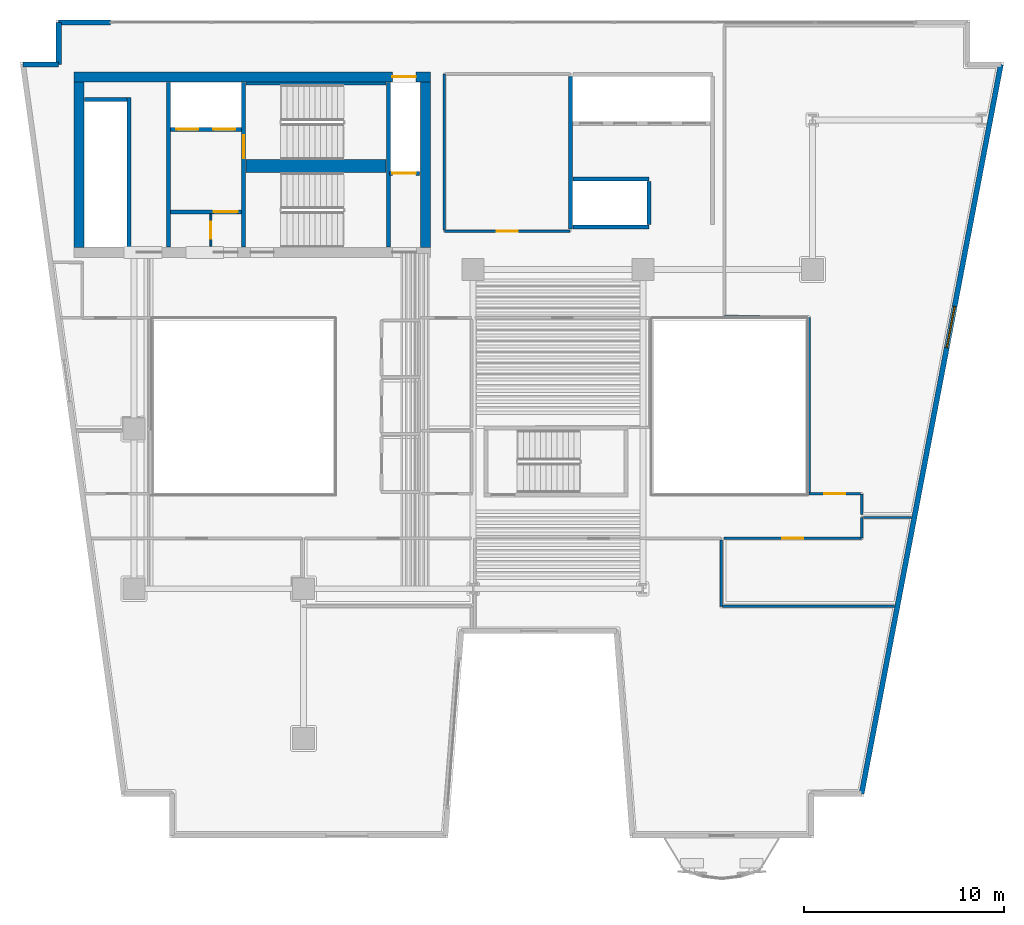
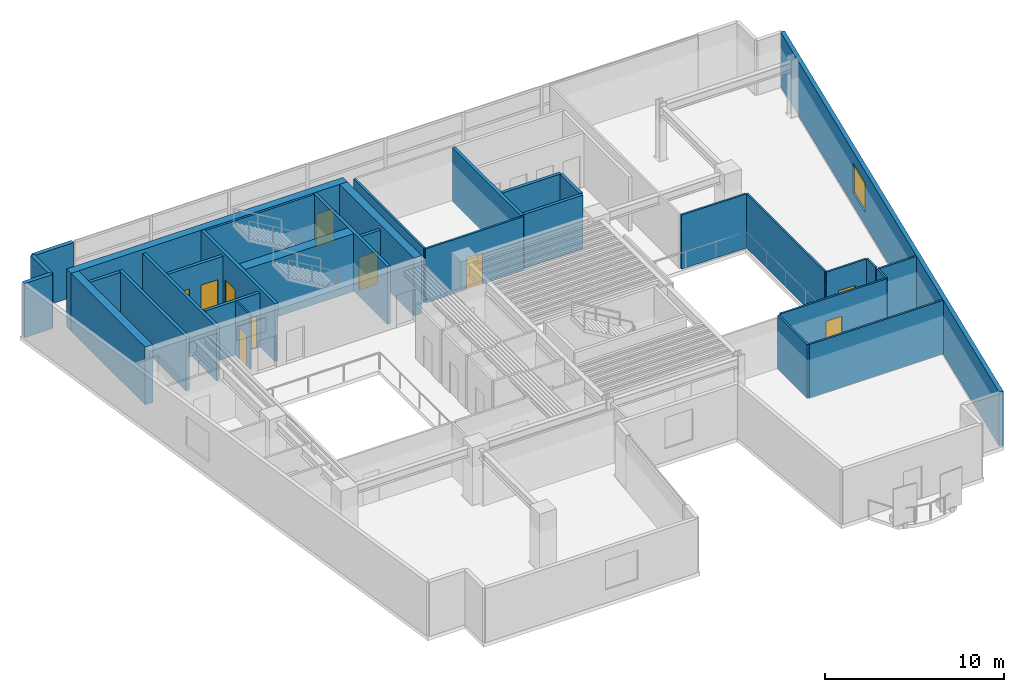
# One storey, part 7 of 12: 33 walls, 10 doors, 1 window, 11 openings.
"""IFC4 building model written with IfcOpenShell, lengths in metres."""

from ifc_helpers import new_model, si_unit, direction, frame, frame_2d, origin, place, context, subcontext, project, spatial, rectangle, extrude, material, layer, layer_set, type_object, element, fill, save


model = new_model("IFC4")

# Units and contexts
model_context = context("Model", 3, precision=1e-05, world=origin(), true_north=direction((0.0, 1.0)))
body_context = subcontext(model_context, "Body", "Model", "MODEL_VIEW")
ifc_project = project(units=[si_unit("LENGTHUNIT", "METRE"), si_unit("AREAUNIT", "SQUARE_METRE"), si_unit("VOLUMEUNIT", "CUBIC_METRE"), si_unit("PLANEANGLEUNIT", "RADIAN"), si_unit("MASSUNIT", "GRAM", prefix="KILO")], contexts=[model_context])

# Site, building, storey
site_placement = place(None, origin())
site = spatial("IfcSite", under=ifc_project, at=site_placement, CompositionType="ELEMENT")
building_placement = place(site_placement, origin())
building = spatial("IfcBuilding", under=site, at=building_placement, Name="Caeloran Harvest Quay", CompositionType="ELEMENT")
storey_placement = place(building_placement, frame((0.0, 0.0, 119.300048828125)))
storey = spatial("IfcBuildingStorey", under=building, at=storey_placement, Name="L27", CompositionType="ELEMENT", Elevation=119.300048828125)

# Walls
ifc_material_1 = material(Name="Precast concrete C50/60", Category="concrete")
ifc_layer_1 = layer(ifc_material_1, 0.260009765625, Name="Precast concrete C50/60")
ifc_layer_set_1 = layer_set([ifc_layer_1], Name="Precast concrete C50/60")
wall_type_1 = type_object("IfcWallType", Name="ENV-WALL-EW-260", PredefinedType="STANDARD", material=ifc_layer_set_1)
wall_1_placement = place(storey_placement, frame((2.939697265625, 41.27001953125, 0.0), z_axis=(0.0, 0.0, 1.0), x_axis=(1.0, 0.0, 0.0)))
element("IfcWall", 1, at=wall_1_placement, inside=storey, type_object=wall_type_1, Name="L27 Exterior Precast Concrete Facade Wall 4", PredefinedType="STANDARD", context=body_context, shape_type="SweptSolid", body=[
    extrude(rectangle(XDim=1.790283203125, YDim=0.260009765625, at=frame_2d((0.89501953125, 0.0))), origin(), (0.0, 0.0, 1.0), 3.68994140625),
])
wall_2_placement = place(storey_placement, frame((4.72998046875, 41.27001953125, 0.0), z_axis=(0.0, 0.0, 1.0), x_axis=(0.0, 1.0, 0.0)))
element("IfcWall", 2, at=wall_2_placement, inside=storey, type_object=wall_type_1, Name="L27 Exterior Precast Concrete Facade Wall 5", PredefinedType="STANDARD", context=body_context, shape_type="SweptSolid", body=[
    extrude(rectangle(XDim=2.10009765625, YDim=0.260009765625, at=frame_2d((1.050048828125, 0.0))), origin(), (0.0, 0.0, 1.0), 3.68994140625),
])
wall_3_placement = place(storey_placement, frame((4.72998046875, 43.3701171875, 0.0), z_axis=(0.0, 0.0, 1.0), x_axis=(1.0, 0.0, 0.0)))
element("IfcWall", 3, at=wall_3_placement, inside=storey, type_object=wall_type_1, Name="L27 Exterior Facade Corner Pier Wall 6A", PredefinedType="STANDARD", context=body_context, shape_type="SweptSolid", body=[
    extrude(rectangle(XDim=2.60009765625, YDim=0.260009765625, at=frame_2d((1.300048828125, 0.0))), origin(), (0.0, 0.0, 1.0), 3.68994140625),
])

# Wall, opening, window
wall_4_placement = place(storey_placement, frame((51.94189453125, 41.27001953125, 0.0), z_axis=(0.0, 0.0, 1.0), x_axis=(-0.187592192405, -0.982247000173, 0.0)))
wall_4 = element("IfcWall", 4, at=wall_4_placement, inside=storey, type_object=wall_type_1, Name="L27 Exterior Precast Concrete Facade Wall 9", PredefinedType="STANDARD", context=body_context, shape_type="SweptSolid", body=[
    extrude(rectangle(XDim=37.200439453125, YDim=0.260009765625, at=frame_2d((18.60009765625, 0.0))), origin(), (0.0, 0.0, 1.0), 3.68994140625),
])
opening_1_placement = place(wall_4_placement, frame((12.342041015625, 0.0, 0.89990234375)))
opening_1 = element("IfcOpeningElement", 5, at=opening_1_placement, cuts=wall_4, Name="Opening W-06", PredefinedType="OPENING", context=body_context, shape_type="SweptSolid", body=[
    extrude(rectangle(XDim=2.10009765625, YDim=2.0, at=frame_2d((1.050048828125, 1.0))), frame((0.0, 0.14013671875, 0.0), z_axis=(0.0, -1.0, 0.0), x_axis=(1.0, 0.0, 0.0)), (0.0, 0.0, 1.0), 0.280029296875),
])
ifc_material_2 = material(Name="Aluminium-Framed Low-E Laminated Glass", Category="aluminium")
window_type = type_object("IfcWindowType", Name="WIN-W-06", PartitioningType="DOUBLE_PANEL_VERTICAL", PredefinedType="WINDOW", material=ifc_material_2)
window_placement = place(opening_1_placement, origin())
window = element("IfcWindow", 6, at=window_placement, inside=storey, type_object=window_type, Name="L27 Facade Punched Window W-06", OverallHeight=2.0, OverallWidth=2.10009765625, PartitioningType="DOUBLE_PANEL_VERTICAL", PredefinedType="WINDOW", context=body_context, shape_type="SweptSolid", body=[
    extrude(rectangle(XDim=2.10009765625, YDim=2.0, at=frame_2d((1.050048828125, 1.0))), frame((0.0, 0.030029296875, 0.0), z_axis=(0.0, -1.0, 0.0), x_axis=(1.0, 0.0, 0.0)), (0.0, 0.0, 1.0), 0.06005859375),
])
fill(opening_1, window)

# Wall, opening, door
ifc_material_3 = material(Name="Fire-Resisting Gypsum Core Riser Partition", Category="gypsum")
ifc_layer_2 = layer(ifc_material_3, 0.10009765625, Name="Fire-Resisting Gypsum Core Riser Partition")
ifc_layer_set_2 = layer_set([ifc_layer_2], Name="Fire-Resisting Gypsum Core Riser Partition")
wall_type_2 = type_object("IfcWallType", Name="INT-WALL-PW-100", PredefinedType="PARTITIONING", material=ifc_layer_set_2)
wall_5_placement = place(storey_placement, frame((12.360107421875, 32.159912109375, 0.0), z_axis=(0.0, 0.0, 1.0), x_axis=(0.0, 1.0, 0.0)))
wall_5 = element("IfcWall", 7, at=wall_5_placement, inside=storey, type_object=wall_type_2, Name="L27 Core Store Partition Wall", PredefinedType="PARTITIONING", context=body_context, shape_type="SweptSolid", body=[
    extrude(rectangle(XDim=1.6201171875, YDim=0.10009765625, at=frame_2d((0.81005859375, 0.0))), origin(), (0.0, 0.0, 1.0), 3.68994140625),
])
opening_2_placement = place(wall_5_placement, frame((0.3798828125, 0.0, 0.0)))
opening_2 = element("IfcOpeningElement", 8, at=opening_2_placement, cuts=wall_5, Name="Opening SV-01", PredefinedType="OPENING", context=body_context, shape_type="SweptSolid", body=[
    extrude(rectangle(XDim=0.85009765625, YDim=2.10009765625, at=frame_2d((0.425048828125, 1.050048828125))), frame((0.0, 0.06005859375, 0.0), z_axis=(0.0, -1.0, 0.0), x_axis=(1.0, 0.0, 0.0)), (0.0, 0.0, 1.0), 0.1201171875),
])
ifc_material_4 = material(Name="Galvanized Painted Steel", Category="steel")
door_type_1 = type_object("IfcDoorType", Name="INTDOOR-SV-01", OperationType="NOTDEFINED", PredefinedType="DOOR", material=ifc_material_4)
door_1_placement = place(opening_2_placement, origin())
door_1 = element("IfcDoor", 9, at=door_1_placement, inside=storey, type_object=door_type_1, Name="L27 Core Service Room Access Door", OperationType="SINGLE_SWING_RIGHT", OverallHeight=2.10009765625, OverallWidth=0.85009765625, PredefinedType="DOOR", context=body_context, shape_type="SweptSolid", body=[
    extrude(rectangle(XDim=0.85009765625, YDim=2.10009765625, at=frame_2d((0.425048828125, 1.050048828125))), frame((0.0, 0.02490234375, 0.0), z_axis=(0.0, -1.0, 0.0), x_axis=(1.0, 0.0, 0.0)), (0.0, 0.0, 1.0), 0.050048828125),
])
fill(opening_2, door_1)

ifc_material_5 = material(Name="Twin-Stud Mineral-Wool Acoustic Gypsum Partition", Category="gypsum")
ifc_layer_3 = layer(ifc_material_5, 0.125, Name="Twin-Stud Mineral-Wool Acoustic Gypsum Partition")
ifc_layer_set_3 = layer_set([ifc_layer_3], Name="Twin-Stud Mineral-Wool Acoustic Gypsum Partition")
wall_type_3 = type_object("IfcWallType", Name="INT-WALL-PW-125", PredefinedType="PARTITIONING", material=ifc_layer_set_3)
wall_6_placement = place(storey_placement, frame((30.35009765625, 32.919921875, 0.0), z_axis=(0.0, 0.0, 1.0), x_axis=(-1.0, 0.0, 0.0)))
wall_6 = element("IfcWall", 10, at=wall_6_placement, inside=storey, type_object=wall_type_3, Name="L27 Bioinformatics and Crop Phenotyping Laboratory Partition Wall", PredefinedType="PARTITIONING", context=body_context, shape_type="SweptSolid", body=[
    extrude(rectangle(XDim=6.300048828125, YDim=0.125, at=frame_2d((3.14990234375, 0.0))), origin(), (0.0, 0.0, 1.0), 3.68994140625),
])
opening_3_placement = place(wall_6_placement, frame((2.625, 0.0, 0.0)))
opening_3 = element("IfcOpeningElement", 11, at=opening_3_placement, cuts=wall_6, Name="Opening ID-03", PredefinedType="OPENING", context=body_context, shape_type="SweptSolid", body=[
    extrude(rectangle(XDim=1.050048828125, YDim=2.14990234375, at=frame_2d((0.52490234375, 1.074951171875))), frame((0.0, 0.072509765625, 0.0), z_axis=(0.0, -1.0, 0.0), x_axis=(1.0, 0.0, 0.0)), (0.0, 0.0, 1.0), 0.14501953125),
])
ifc_material_6 = material(Name="FSC Solid-Core Oak Timber Leaf", Category="wood")
door_type_2 = type_object("IfcDoorType", Name="INTDOOR-ID-03", OperationType="NOTDEFINED", PredefinedType="DOOR", material=ifc_material_6)
door_2_placement = place(opening_3_placement, origin())
door_2 = element("IfcDoor", 12, at=door_2_placement, inside=storey, type_object=door_type_2, Name="L27 Bioinformatics and Crop Phenotyping Laboratory Access Door", OperationType="SINGLE_SWING_LEFT", OverallHeight=2.14990234375, OverallWidth=1.050048828125, PredefinedType="DOOR", context=body_context, shape_type="SweptSolid", body=[
    extrude(rectangle(XDim=1.050048828125, YDim=2.14990234375, at=frame_2d((0.52490234375, 1.074951171875))), frame((0.0, 0.02490234375, 0.0), z_axis=(0.0, -1.0, 0.0), x_axis=(1.0, 0.0, 0.0)), (0.0, 0.0, 1.0), 0.050048828125),
])
fill(opening_3, door_2)

# Walls
wall_7_placement = place(storey_placement, frame((24.050048828125, 32.987548828125, 0.0), z_axis=(0.0, 0.0, 1.0), x_axis=(0.0, 1.0, 0.0)))
element("IfcWall", 13, at=wall_7_placement, inside=storey, type_object=wall_type_3, Name="L27 Bioinformatics and Crop Phenotyping Laboratory Partition Wall", PredefinedType="PARTITIONING", context=body_context, shape_type="SweptSolid", body=[
    extrude(rectangle(XDim=7.8125, YDim=0.125, at=frame_2d((3.90625, 0.0))), origin(), (0.0, 0.0, 1.0), 3.68994140625),
])
wall_8_placement = place(storey_placement, frame((37.919921875, 17.452392578125, 0.0), z_axis=(0.0, 0.0, 1.0), x_axis=(0.0, -1.0, 0.0)))
element("IfcWall", 14, at=wall_8_placement, inside=storey, type_object=wall_type_3, Name="Crop Genomics Wet Laboratory Partition Wall", PredefinedType="PARTITIONING", context=body_context, shape_type="SweptSolid", body=[
    extrude(rectangle(XDim=3.332275390625, YDim=0.125, at=frame_2d((1.666015625, 0.0))), origin(), (0.0, 0.0, 1.0), 3.68994140625),
])
wall_9_placement = place(storey_placement, frame((37.987548828125, 14.1201171875, 0.0), z_axis=(0.0, 0.0, 1.0), x_axis=(1.0, 0.0, 0.0)))
element("IfcWall", 15, at=wall_9_placement, inside=storey, type_object=wall_type_3, Name="Crop Genomics Wet Laboratory Partition Wall", PredefinedType="PARTITIONING", context=body_context, shape_type="SweptSolid", body=[
    extrude(rectangle(XDim=8.6318359375, YDim=0.125, at=frame_2d((4.31591796875, 0.0))), origin(), (0.0, 0.0, 1.0), 3.68994140625),
])
wall_10_placement = place(storey_placement, frame((44.97998046875, 17.550048828125, 0.0), z_axis=(0.0, 0.0, 1.0), x_axis=(0.0, 1.0, 0.0)))
element("IfcWall", 16, at=wall_10_placement, inside=storey, type_object=wall_type_3, Name="Patent Strategy Office Partition Wall", PredefinedType="PARTITIONING", context=body_context, shape_type="SweptSolid", body=[
    extrude(rectangle(XDim=1.02001953125, YDim=0.125, at=frame_2d((0.510009765625, 0.0))), origin(), (0.0, 0.0, 1.0), 3.68994140625),
])
wall_11_placement = place(storey_placement, frame((45.047607421875, 18.570068359375, 0.0), z_axis=(0.0, 0.0, 1.0), x_axis=(1.0, 0.0, 0.0)))
element("IfcWall", 17, at=wall_11_placement, inside=storey, type_object=wall_type_3, Name="Patent Strategy Office Partition Wall", PredefinedType="PARTITIONING", context=body_context, shape_type="SweptSolid", body=[
    extrude(rectangle(XDim=2.421630859375, YDim=0.125, at=frame_2d((1.2109375, 0.0))), origin(), (0.0, 0.0, 1.0), 3.68994140625),
])

# Wall, opening, door
wall_12_placement = place(storey_placement, frame((38.080078125, 17.52001953125, 0.0), z_axis=(0.0, 0.0, 1.0), x_axis=(1.0, 0.0, 0.0)))
wall_12 = element("IfcWall", 18, at=wall_12_placement, inside=storey, type_object=wall_type_3, Name="Patent Strategy Office Partition Wall", PredefinedType="PARTITIONING", context=body_context, shape_type="SweptSolid", body=[
    extrude(rectangle(XDim=6.869873046875, YDim=0.125, at=frame_2d((3.43505859375, 0.0))), origin(), (0.0, 0.0, 1.0), 3.68994140625),
])
opening_4_placement = place(wall_12_placement, frame((2.909912109375, 0.0, 0.0)))
opening_4 = element("IfcOpeningElement", 19, at=opening_4_placement, cuts=wall_12, Name="Opening ID-03", PredefinedType="OPENING", context=body_context, shape_type="SweptSolid", body=[
    extrude(rectangle(XDim=1.050048828125, YDim=2.14990234375, at=frame_2d((0.52490234375, 1.074951171875))), frame((0.0, 0.072509765625, 0.0), z_axis=(0.0, -1.0, 0.0), x_axis=(1.0, 0.0, 0.0)), (0.0, 0.0, 1.0), 0.14501953125),
])
door_3_placement = place(opening_4_placement, origin())
door_3 = element("IfcDoor", 20, at=door_3_placement, inside=storey, type_object=door_type_2, Name="Patent Strategy Office Access Door", OperationType="SINGLE_SWING_RIGHT", OverallHeight=2.14990234375, OverallWidth=1.050048828125, PredefinedType="DOOR", context=body_context, shape_type="SweptSolid", body=[
    extrude(rectangle(XDim=1.050048828125, YDim=2.14990234375, at=frame_2d((0.52490234375, 1.074951171875))), frame((0.0, 0.02490234375, 0.0), z_axis=(0.0, -1.0, 0.0), x_axis=(1.0, 0.0, 0.0)), (0.0, 0.0, 1.0), 0.050048828125),
])
fill(opening_4, door_3)

# Wall
wall_13_placement = place(storey_placement, frame((44.97998046875, 18.72998046875, 0.0), z_axis=(0.0, 0.0, 1.0), x_axis=(0.0, 1.0, 0.0)))
element("IfcWall", 21, at=wall_13_placement, inside=storey, type_object=wall_type_3, Name="Phenotyping Sensor Laboratory 10 Partition Wall", PredefinedType="PARTITIONING", context=body_context, shape_type="SweptSolid", body=[
    extrude(rectangle(XDim=1.02001953125, YDim=0.125, at=frame_2d((0.510009765625, 0.0))), origin(), (0.0, 0.0, 1.0), 3.68994140625),
])

# Wall, opening, door
wall_14_placement = place(storey_placement, frame((44.91259765625, 19.75, 0.0), z_axis=(0.0, 0.0, 1.0), x_axis=(-1.0, 0.0, 0.0)))
wall_14 = element("IfcWall", 22, at=wall_14_placement, inside=storey, type_object=wall_type_3, Name="Phenotyping Sensor Laboratory 10 Partition Wall", PredefinedType="PARTITIONING", context=body_context, shape_type="SweptSolid", body=[
    extrude(rectangle(XDim=2.58251953125, YDim=0.125, at=frame_2d((1.291259765625, 0.0))), origin(), (0.0, 0.0, 1.0), 3.68994140625),
])
opening_5_placement = place(wall_14_placement, frame((0.766357421875, 0.0, 0.0)))
opening_5 = element("IfcOpeningElement", 23, at=opening_5_placement, cuts=wall_14, Name="Opening ID-03", PredefinedType="OPENING", context=body_context, shape_type="SweptSolid", body=[
    extrude(rectangle(XDim=1.050048828125, YDim=2.14990234375, at=frame_2d((0.52490234375, 1.074951171875))), frame((0.0, 0.072509765625, 0.0), z_axis=(0.0, -1.0, 0.0), x_axis=(1.0, 0.0, 0.0)), (0.0, 0.0, 1.0), 0.14501953125),
])
door_4_placement = place(opening_5_placement, origin())
door_4 = element("IfcDoor", 24, at=door_4_placement, inside=storey, type_object=door_type_2, Name="Phenotyping Sensor Laboratory 10 Access Door", OperationType="SINGLE_SWING_RIGHT", OverallHeight=2.14990234375, OverallWidth=1.050048828125, PredefinedType="DOOR", context=body_context, shape_type="SweptSolid", body=[
    extrude(rectangle(XDim=1.050048828125, YDim=2.14990234375, at=frame_2d((0.52490234375, 1.074951171875))), frame((0.0, 0.02490234375, 0.0), z_axis=(0.0, -1.0, 0.0), x_axis=(1.0, 0.0, 0.0)), (0.0, 0.0, 1.0), 0.050048828125),
])
fill(opening_5, door_4)

# Walls
wall_15_placement = place(storey_placement, frame((42.330078125, 19.8173828125, 0.0), z_axis=(0.0, 0.0, 1.0), x_axis=(0.0, 1.0, 0.0)))
element("IfcWall", 25, at=wall_15_placement, inside=storey, type_object=wall_type_3, Name="Phenotyping Sensor Laboratory 10 Partition Wall", PredefinedType="PARTITIONING", context=body_context, shape_type="SweptSolid", body=[
    extrude(rectangle(XDim=8.78271484375, YDim=0.125, at=frame_2d((4.391357421875, 0.0))), origin(), (0.0, 0.0, 1.0), 3.68994140625),
])
wall_16_placement = place(storey_placement, frame((42.262451171875, 28.6005859375, 0.0), z_axis=(0.0, 0.0, 1.0), x_axis=(-0.999975466976, 0.007004673168, 0.0)))
element("IfcWall", 26, at=wall_16_placement, inside=storey, type_object=wall_type_3, Name="Phenotyping Sensor Laboratory 10 Partition Wall", PredefinedType="PARTITIONING", context=body_context, shape_type="SweptSolid", body=[
    extrude(rectangle(XDim=4.182373046875, YDim=0.125, at=frame_2d((2.09130859375, 0.0))), origin(), (0.0, 0.0, 1.0), 3.68994140625),
])
ifc_material_7 = material(Name="Concrete C50/60", Category="concrete")
ifc_layer_4 = layer(ifc_material_7, 0.199951171875, Name="Concrete C50/60")
ifc_layer_set_4 = layer_set([ifc_layer_4], Name="Concrete C50/60")
wall_type_4 = type_object("IfcWallType", Name="INT-WALL-SW-200", PredefinedType="PARTITIONING", material=ifc_layer_set_4)
wall_17_placement = place(storey_placement, frame((8.260009765625, 32.1201171875, 0.0), z_axis=(0.0, 0.0, 1.0), x_axis=(0.0, 1.0, 0.0)))
element("IfcWall", 27, at=wall_17_placement, inside=storey, type_object=wall_type_4, Name="L27 Bank 3 Lift Shaft Wall", PredefinedType="PARTITIONING", context=body_context, shape_type="SweptSolid", body=[
    extrude(rectangle(XDim=7.5, YDim=0.199951171875, at=frame_2d((3.75, 0.0))), origin(), (0.0, 0.0, 1.0), 3.68994140625),
])
wall_18_placement = place(storey_placement, frame((6.02001953125, 39.52001953125, 0.0), z_axis=(0.0, 0.0, 1.0), x_axis=(1.0, 0.0, 0.0)))
element("IfcWall", 28, at=wall_18_placement, inside=storey, type_object=wall_type_4, Name="L27 Bank 3 Lift Shaft North End Wall", PredefinedType="PARTITIONING", context=body_context, shape_type="SweptSolid", body=[
    extrude(rectangle(XDim=2.119873046875, YDim=0.199951171875, at=frame_2d((1.06005859375, 0.0))), origin(), (0.0, 0.0, 1.0), 3.68994140625),
])
wall_19_placement = place(storey_placement, frame((10.219970703125, 32.1201171875, 0.0), z_axis=(0.0, 0.0, 1.0), x_axis=(0.0, 1.0, 0.0)))
element("IfcWall", 29, at=wall_19_placement, inside=storey, type_object=wall_type_4, Name="L27 Core Lobby Compartment Wall", PredefinedType="PARTITIONING", context=body_context, shape_type="SweptSolid", body=[
    extrude(rectangle(XDim=8.259765625, YDim=0.199951171875, at=frame_2d((4.1298828125, 0.0))), origin(), (0.0, 0.0, 1.0), 3.68994140625),
])

# Wall, openings, doors
wall_20_placement = place(storey_placement, frame((10.340087890625, 38.02001953125, 0.0), z_axis=(0.0, 0.0, 1.0), x_axis=(1.0, 0.0, 0.0)))
wall_20 = element("IfcWall", 30, at=wall_20_placement, inside=storey, type_object=wall_type_4, Name="L27 Firefighting Lift Shaft Wall", PredefinedType="PARTITIONING", context=body_context, shape_type="SweptSolid", body=[
    extrude(rectangle(XDim=3.539794921875, YDim=0.199951171875, at=frame_2d((1.77001953125, 0.0))), origin(), (0.0, 0.0, 1.0), 3.68994140625),
])
opening_6_placement = place(wall_20_placement, frame((0.284912109375, 0.0, 0.0)))
opening_6 = element("IfcOpeningElement", 31, at=opening_6_placement, cuts=wall_20, Name="Opening LD-01", PredefinedType="OPENING", context=body_context, shape_type="SweptSolid", body=[
    extrude(rectangle(XDim=1.10009765625, YDim=2.199951171875, at=frame_2d((0.550048828125, 1.10009765625))), frame((0.0, 0.10986328125, 0.0), z_axis=(0.0, -1.0, 0.0), x_axis=(1.0, 0.0, 0.0)), (0.0, 0.0, 1.0), 0.219970703125),
])
opening_7_placement = place(wall_20_placement, frame((2.135009765625, 0.0, 0.0)))
opening_7 = element("IfcOpeningElement", 32, at=opening_7_placement, cuts=wall_20, Name="Opening LD-01", PredefinedType="OPENING", context=body_context, shape_type="SweptSolid", body=[
    extrude(rectangle(XDim=1.10009765625, YDim=2.199951171875, at=frame_2d((0.550048828125, 1.10009765625))), frame((0.0, 0.10986328125, 0.0), z_axis=(0.0, -1.0, 0.0), x_axis=(1.0, 0.0, 0.0)), (0.0, 0.0, 1.0), 0.219970703125),
])
ifc_material_8 = material(Name="Stainless Steel Grade 316", Category="steel")
door_type_3 = type_object("IfcDoorType", Name="INTDOOR-LD-01", OperationType="NOTDEFINED", PredefinedType="DOOR", material=ifc_material_8)
door_5_placement = place(opening_6_placement, origin())
door_5 = element("IfcDoor", 33, at=door_5_placement, inside=storey, type_object=door_type_3, Name="Lift FF-1 Sliding Landing Door (L27)", OperationType="DOUBLE_DOOR_SLIDING", OverallHeight=2.199951171875, OverallWidth=1.10009765625, PredefinedType="DOOR", context=body_context, shape_type="SweptSolid", body=[
    extrude(rectangle(XDim=1.10009765625, YDim=2.199951171875, at=frame_2d((0.550048828125, 1.10009765625))), frame((0.0, 0.02490234375, 0.0), z_axis=(0.0, -1.0, 0.0), x_axis=(1.0, 0.0, 0.0)), (0.0, 0.0, 1.0), 0.050048828125),
])
fill(opening_6, door_5)
door_6_placement = place(opening_7_placement, origin())
door_6 = element("IfcDoor", 34, at=door_6_placement, inside=storey, type_object=door_type_3, Name="Lift FF-2 Sliding Landing Door (L27)", OperationType="DOUBLE_DOOR_SLIDING", OverallHeight=2.199951171875, OverallWidth=1.10009765625, PredefinedType="DOOR", context=body_context, shape_type="SweptSolid", body=[
    extrude(rectangle(XDim=1.10009765625, YDim=2.199951171875, at=frame_2d((0.550048828125, 1.10009765625))), frame((0.0, 0.02490234375, 0.0), z_axis=(0.0, -1.0, 0.0), x_axis=(1.0, 0.0, 0.0)), (0.0, 0.0, 1.0), 0.050048828125),
])
fill(opening_7, door_6)

# Wall, opening, door
wall_21_placement = place(storey_placement, frame((10.340087890625, 33.8798828125, 0.0), z_axis=(0.0, 0.0, 1.0), x_axis=(1.0, 0.0, 0.0)))
wall_21 = element("IfcWall", 35, at=wall_21_placement, inside=storey, type_object=wall_type_4, Name="L27 Firefighting Lift Lobby Enclosure Wall", PredefinedType="PARTITIONING", context=body_context, shape_type="SweptSolid", body=[
    extrude(rectangle(XDim=3.559814453125, YDim=0.199951171875, at=frame_2d((1.77978515625, 0.0))), origin(), (0.0, 0.0, 1.0), 3.68994140625),
])
opening_8_placement = place(wall_21_placement, frame((2.14990234375, 0.0, 0.0)))
opening_8 = element("IfcOpeningElement", 36, at=opening_8_placement, cuts=wall_21, Name="Opening FD-01", PredefinedType="OPENING", context=body_context, shape_type="SweptSolid", body=[
    extrude(rectangle(XDim=1.199951171875, YDim=2.199951171875, at=frame_2d((0.60009765625, 1.10009765625))), frame((0.0, 0.10986328125, 0.0), z_axis=(0.0, -1.0, 0.0), x_axis=(1.0, 0.0, 0.0)), (0.0, 0.0, 1.0), 0.219970703125),
])
ifc_material_9 = material(Name="Steel", Category="steel")
door_type_4 = type_object("IfcDoorType", Name="INTDOOR-FD-01", OperationType="NOTDEFINED", PredefinedType="DOOR", material=ifc_material_9)
door_7_placement = place(opening_8_placement, origin())
door_7 = element("IfcDoor", 37, at=door_7_placement, inside=storey, type_object=door_type_4, Name="L27 Firefighting Lift Lobby Smoke-Seal Fire Door", OperationType="SINGLE_SWING_LEFT", OverallHeight=2.199951171875, OverallWidth=1.199951171875, PredefinedType="DOOR", context=body_context, shape_type="SweptSolid", body=[
    extrude(rectangle(XDim=1.199951171875, YDim=2.199951171875, at=frame_2d((0.60009765625, 1.10009765625))), frame((0.0, 0.02490234375, 0.0), z_axis=(0.0, -1.0, 0.0), x_axis=(1.0, 0.0, 0.0)), (0.0, 0.0, 1.0), 0.050048828125),
])
fill(opening_8, door_7)

wall_22_placement = place(storey_placement, frame((21.300048828125, 35.820068359375, 0.0), z_axis=(0.0, 0.0, 1.0), x_axis=(1.0, 0.0, 0.0)))
wall_22 = element("IfcWall", 38, at=wall_22_placement, inside=storey, type_object=wall_type_4, Name="L27 Service Lift SV-2 Shaft Wall", PredefinedType="PARTITIONING", context=body_context, shape_type="SweptSolid", body=[
    extrude(rectangle(XDim=1.5, YDim=0.199951171875, at=frame_2d((0.75, 0.0))), origin(), (0.0, 0.0, 1.0), 3.68994140625),
])
opening_9_placement = place(wall_22_placement, frame((0.14501953125, 0.0, 0.0)))
opening_9 = element("IfcOpeningElement", 39, at=opening_9_placement, cuts=wall_22, Name="Opening LD-02", PredefinedType="OPENING", context=body_context, shape_type="SweptSolid", body=[
    extrude(rectangle(XDim=1.179931640625, YDim=2.25, at=frame_2d((0.58984375, 1.125))), frame((0.0, 0.10986328125, 0.0), z_axis=(0.0, -1.0, 0.0), x_axis=(1.0, 0.0, 0.0)), (0.0, 0.0, 1.0), 0.219970703125),
])
door_type_5 = type_object("IfcDoorType", Name="INTDOOR-LD-02", OperationType="NOTDEFINED", PredefinedType="DOOR", material=ifc_material_8)
door_8_placement = place(opening_9_placement, origin())
door_8 = element("IfcDoor", 40, at=door_8_placement, inside=storey, type_object=door_type_5, Name="Lift SV-2 Sliding Landing Door (L27)", OperationType="DOUBLE_DOOR_SLIDING", OverallHeight=2.25, OverallWidth=1.179931640625, PredefinedType="DOOR", context=body_context, shape_type="SweptSolid", body=[
    extrude(rectangle(XDim=1.179931640625, YDim=2.25, at=frame_2d((0.58984375, 1.125))), frame((0.0, 0.02490234375, 0.0), z_axis=(0.0, -1.0, 0.0), x_axis=(1.0, 0.0, 0.0)), (0.0, 0.0, 1.0), 0.050048828125),
])
fill(opening_9, door_8)

# Walls
wall_23_placement = place(storey_placement, frame((30.3798828125, 33.02001953125, 0.0), z_axis=(0.0, 0.0, 1.0), x_axis=(0.0, 1.0, 0.0)))
element("IfcWall", 41, at=wall_23_placement, inside=storey, type_object=wall_type_4, Name="L27 Bank 2 and Shuttle Lift Shaft West Wall", PredefinedType="PARTITIONING", context=body_context, shape_type="SweptSolid", body=[
    extrude(rectangle(XDim=7.639892578125, YDim=0.199951171875, at=frame_2d((3.81982421875, 0.0))), origin(), (0.0, 0.0, 1.0), 3.68994140625),
])
for number, where, z_axis, x_axis, name in (
    (42, (30.5, 35.530029296875, 0.0), (0.0, 0.0, 1.0), (1.0, 0.0, 0.0), "L27 Shuttle Lift Landing Front Wall"),
    (43, (30.5, 33.1201171875, 0.0), (0.0, 0.0, 1.0), (1.0, 0.0, 0.0), "L27 Shuttle Lift Shaft South Wall"),
):
    element("IfcWall", number, at=place(storey_placement, frame(where, z_axis=z_axis, x_axis=x_axis)), inside=storey, type_object=wall_type_4, Name=name, PredefinedType="PARTITIONING", context=body_context, shape_type="SweptSolid", body=[
        extrude(rectangle(XDim=3.800048828125, YDim=0.199951171875, at=frame_2d((1.89990234375, 0.0))), origin(), (0.0, 0.0, 1.0), 3.68994140625),
    ])
wall_24_placement = place(storey_placement, frame((34.300048828125, 33.239990234375, 0.0), z_axis=(0.0, 0.0, 1.0), x_axis=(0.0, 1.0, 0.0)))
element("IfcWall", 44, at=wall_24_placement, inside=storey, type_object=wall_type_4, Name="L27 Shuttle Lift Shaft East Wall", PredefinedType="PARTITIONING", context=body_context, shape_type="SweptSolid", body=[
    extrude(rectangle(XDim=2.169921875, YDim=0.199951171875, at=frame_2d((1.0849609375, 0.0))), origin(), (0.0, 0.0, 1.0), 3.68994140625),
])

# Wall, opening, door
ifc_material_10 = material(Name="Concrete C70/85", Category="concrete")
ifc_layer_5 = layer(ifc_material_10, 0.5, Name="Concrete C70/85")
ifc_layer_set_5 = layer_set([ifc_layer_5], Name="Concrete C70/85")
wall_type_5 = type_object("IfcWallType", Name="STR-WALL-CW-500", PredefinedType="SHEAR", material=ifc_layer_set_5)
wall_25_placement = place(storey_placement, frame((5.5, 40.64990234375, 0.0), z_axis=(0.0, 0.0, 1.0), x_axis=(1.0, 0.0, 0.0)))
wall_25 = element("IfcWall", 45, at=wall_25_placement, inside=storey, type_object=wall_type_5, Name="L27 Rear Core Shear Wall N", PredefinedType="SHEAR", context=body_context, shape_type="SweptSolid", body=[
    extrude(rectangle(XDim=17.85009765625, YDim=0.5, at=frame_2d((8.925048828125, 0.0))), origin(), (0.0, 0.0, 1.0), 3.949951171875),
])
opening_10_placement = place(wall_25_placement, frame((15.945068359375, 0.0, 0.0)))
opening_10 = element("IfcOpeningElement", 46, at=opening_10_placement, cuts=wall_25, Name="Opening LD-02", PredefinedType="OPENING", context=body_context, shape_type="SweptSolid", body=[
    extrude(rectangle(XDim=1.179931640625, YDim=2.25, at=frame_2d((0.58984375, 1.125))), frame((0.0, 0.260009765625, 0.0), z_axis=(0.0, -1.0, 0.0), x_axis=(1.0, 0.0, 0.0)), (0.0, 0.0, 1.0), 0.52001953125),
])
door_9_placement = place(opening_10_placement, origin())
door_9 = element("IfcDoor", 47, at=door_9_placement, inside=storey, type_object=door_type_5, Name="Lift SV-1 Sliding Landing Door (L27)", OperationType="DOUBLE_DOOR_SLIDING", OverallHeight=2.25, OverallWidth=1.179931640625, PredefinedType="DOOR", context=body_context, shape_type="SweptSolid", body=[
    extrude(rectangle(XDim=1.179931640625, YDim=2.25, at=frame_2d((0.58984375, 1.125))), frame((0.0, 0.02490234375, 0.0), z_axis=(0.0, -1.0, 0.0), x_axis=(1.0, 0.0, 0.0)), (0.0, 0.0, 1.0), 0.050048828125),
])
fill(opening_10, door_9)

# Walls
for number, where, z_axis, x_axis, name in (
    (48, (5.75, 32.10009765625, 0.0), (0.0, 0.0, 1.0), (0.0, 1.0, 0.0), "L27 Rear Core Shear Wall W"),
    (49, (23.10009765625, 32.10009765625, 0.0), (0.0, 0.0, 1.0), (0.0, 1.0, 0.0), "L27 Rear Core Shear Wall E"),
):
    element("IfcWall", number, at=place(storey_placement, frame(where, z_axis=z_axis, x_axis=x_axis)), inside=storey, type_object=wall_type_5, Name=name, PredefinedType="SHEAR", context=body_context, shape_type="SweptSolid", body=[
        extrude(rectangle(XDim=8.2998046875, YDim=0.5, at=frame_2d((4.14990234375, 0.0))), origin(), (0.0, 0.0, 1.0), 3.949951171875),
    ])
ifc_material_11 = material(Name="Concrete C60/75", Category="concrete")
ifc_layer_6 = layer(ifc_material_11, 0.64990234375, Name="Concrete C60/75")
ifc_layer_set_6 = layer_set([ifc_layer_6], Name="Concrete C60/75")
wall_type_6 = type_object("IfcWallType", Name="STR-WALL-CW-650", PredefinedType="SHEAR", material=ifc_layer_set_6)
wall_26_placement = place(storey_placement, frame((14.1201171875, 36.175048828125, 0.0), z_axis=(0.0, 0.0, 1.0), x_axis=(1.0, 0.0, 0.0)))
element("IfcWall", 50, at=wall_26_placement, inside=storey, type_object=wall_type_6, Name="L27 Core Stairs Dividing Shear Wall", PredefinedType="SHEAR", context=body_context, shape_type="SweptSolid", body=[
    extrude(rectangle(XDim=7.009765625, YDim=0.64990234375, at=frame_2d((3.5048828125, 0.0))), origin(), (0.0, 0.0, 1.0), 3.949951171875),
])
ifc_layer_7 = layer(ifc_material_11, 0.139892578125, Name="Concrete C60/75")
ifc_layer_set_7 = layer_set([ifc_layer_7], Name="Concrete C60/75")
wall_type_7 = type_object("IfcWallType", Name="STR-WALL-SW-140", PredefinedType="SHEAR", material=ifc_layer_set_7)
wall_27_placement = place(storey_placement, frame((14.1201171875, 40.320068359375, 0.0), z_axis=(0.0, 0.0, 1.0), x_axis=(1.0, 0.0, 0.0)))
element("IfcWall", 51, at=wall_27_placement, inside=storey, type_object=wall_type_7, Name="L27 Core Stair ST-C1 North Bearing Shear Wall", PredefinedType="SHEAR", context=body_context, shape_type="SweptSolid", body=[
    extrude(rectangle(XDim=7.009765625, YDim=0.139892578125, at=frame_2d((3.5048828125, 0.0))), origin(), (0.0, 0.0, 1.0), 3.949951171875),
])

# Wall, opening, door
ifc_layer_8 = layer(ifc_material_11, 0.199951171875, Name="Concrete C60/75")
ifc_layer_set_8 = layer_set([ifc_layer_8], Name="Concrete C60/75")
wall_type_8 = type_object("IfcWallType", Name="STR-WALL-SW-200", PredefinedType="SHEAR", material=ifc_layer_set_8)
wall_28_placement = place(storey_placement, frame((14.0, 32.1201171875, 0.0), z_axis=(0.0, 0.0, 1.0), x_axis=(0.0, 1.0, 0.0)))
wall_28 = element("IfcWall", 52, at=wall_28_placement, inside=storey, type_object=wall_type_8, Name="L27 Core Stair Shaft West Shear Wall", PredefinedType="SHEAR", context=body_context, shape_type="SweptSolid", body=[
    extrude(rectangle(XDim=8.259765625, YDim=0.199951171875, at=frame_2d((4.1298828125, 0.0))), origin(), (0.0, 0.0, 1.0), 3.949951171875),
])
opening_11_placement = place(wall_28_placement, frame((4.4599609375, 0.0, 0.0)))
opening_11 = element("IfcOpeningElement", 53, at=opening_11_placement, cuts=wall_28, Name="Opening SD-01", PredefinedType="OPENING", context=body_context, shape_type="SweptSolid", body=[
    extrude(rectangle(XDim=1.14990234375, YDim=2.199951171875, at=frame_2d((0.574951171875, 1.10009765625))), frame((0.0, 0.10986328125, 0.0), z_axis=(0.0, -1.0, 0.0), x_axis=(1.0, 0.0, 0.0)), (0.0, 0.0, 1.0), 0.219970703125),
])
door_type_6 = type_object("IfcDoorType", Name="INTDOOR-SD-01", OperationType="NOTDEFINED", PredefinedType="DOOR", material=ifc_material_9)
door_10_placement = place(opening_11_placement, origin())
door_10 = element("IfcDoor", 54, at=door_10_placement, inside=storey, type_object=door_type_6, Name="L27 Protected Stair ST-C1 Exit Door", OperationType="SINGLE_SWING_LEFT", OverallHeight=2.199951171875, OverallWidth=1.14990234375, PredefinedType="DOOR", context=body_context, shape_type="SweptSolid", body=[
    extrude(rectangle(XDim=1.14990234375, YDim=2.199951171875, at=frame_2d((0.574951171875, 1.10009765625))), frame((0.0, 0.02490234375, 0.0), z_axis=(0.0, -1.0, 0.0), x_axis=(1.0, 0.0, 0.0)), (0.0, 0.0, 1.0), 0.050048828125),
])
fill(opening_11, door_10)

# Wall
wall_29_placement = place(storey_placement, frame((21.25, 32.1201171875, 0.0), z_axis=(0.0, 0.0, 1.0), x_axis=(0.0, 1.0, 0.0)))
element("IfcWall", 55, at=wall_29_placement, inside=storey, type_object=wall_type_8, Name="L27 Core Stair Shaft East Shear Wall", PredefinedType="SHEAR", context=body_context, shape_type="SweptSolid", body=[
    extrude(rectangle(XDim=8.259765625, YDim=0.199951171875, at=frame_2d((4.1298828125, 0.0))), origin(), (0.0, 0.0, 1.0), 3.949951171875),
])

save(model, "model.ifc")
